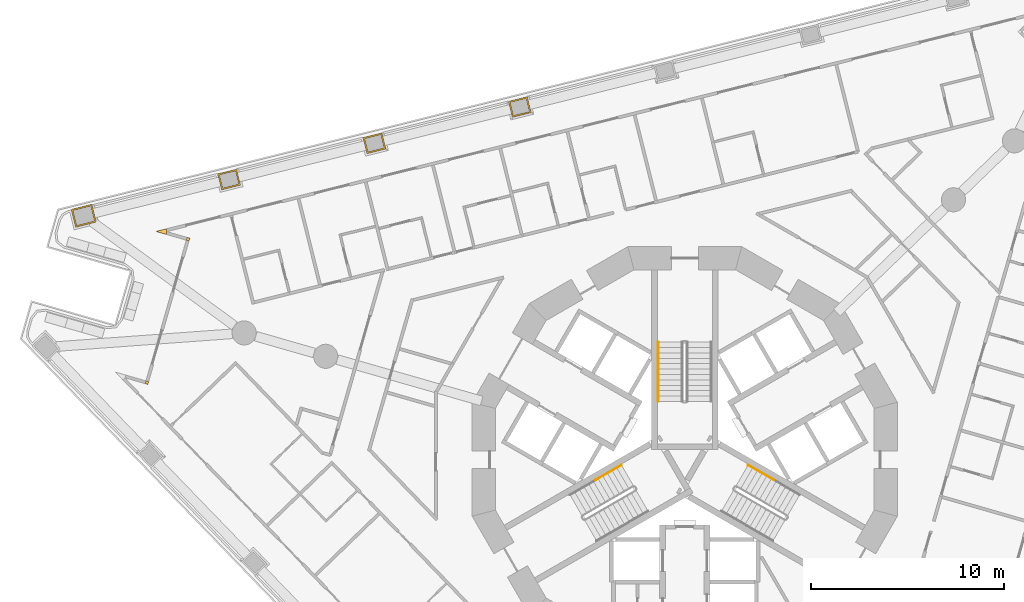
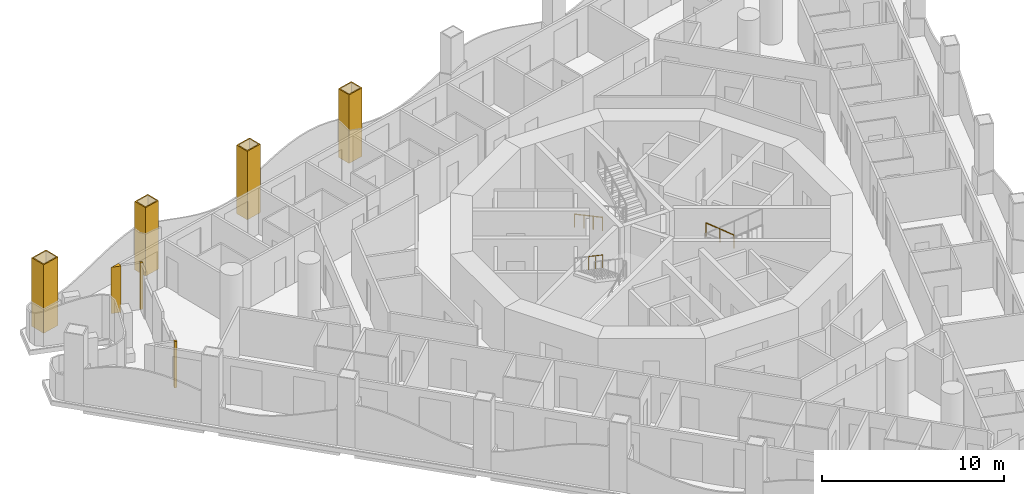
# One storey, part 17 of 20: 7 coverings, 3 railings.
"""IFC4 building model written with IfcOpenShell, lengths in metres."""

from ifc_helpers import new_model, si_unit, direction, frame, origin, origin_2d, place, context, subcontext, project, spatial, polyline, circle, outline, extrude, material, layer, layer_set, type_object, element, save


model = new_model("IFC4")

# Units and contexts
model_context = context("Model", 3, precision=1e-05, world=origin(), true_north=direction((0.0, 1.0)))
body_context = subcontext(model_context, "Body", "Model", "MODEL_VIEW")
ifc_project = project(units=[si_unit("LENGTHUNIT", "METRE"), si_unit("AREAUNIT", "SQUARE_METRE"), si_unit("VOLUMEUNIT", "CUBIC_METRE"), si_unit("PLANEANGLEUNIT", "RADIAN"), si_unit("MASSUNIT", "GRAM", prefix="KILO")], contexts=[model_context])

# Site, building, storey
site_placement = place(None, origin())
site = spatial("IfcSite", under=ifc_project, at=site_placement, CompositionType="ELEMENT")
building_placement = place(site_placement, origin())
building = spatial("IfcBuilding", under=site, at=building_placement, Name="Trine Commons Tower", CompositionType="ELEMENT")
storey_placement = place(building_placement, frame((0.0, 0.0, 116.10009765625)))
storey = spatial("IfcBuildingStorey", under=building, at=storey_placement, Name="L29", CompositionType="ELEMENT", Elevation=116.10009765625)

# Coverings
ifc_material_1 = material(Name="Aluminium-framed insulated wall panel", Category="aluminium")
ifc_layer_1 = layer(ifc_material_1, 0.14990234375)
ifc_layer_set_1 = layer_set([ifc_layer_1], Name="Aluminium-framed insulated wall panel")
covering_type_1 = type_object("IfcCoveringType", Name="Glazing corner post, aluminium", PredefinedType="CLADDING", material=ifc_layer_set_1)
covering_1_placement = place(storey_placement, origin())
element("IfcCovering", 1, at=covering_1_placement, inside=storey, type_object=covering_type_1, Name="Glazing corner post 3-02", PredefinedType="CLADDING", context=body_context, shape_type="SweptSolid", body=[
    extrude(outline(polyline([(52.048828125, 66.416015625), (52.193115234375, 66.374755859375), (52.234375, 66.518798828125), (52.090087890625, 66.560302734375), (52.048828125, 66.416015625)])), origin(), (0.0, 0.0, 1.0), 3.099853515625),
])
covering_2_placement = place(storey_placement, origin())
element("IfcCovering", 2, at=covering_2_placement, inside=storey, type_object=covering_type_1, Name="Glazing corner post 3-03", PredefinedType="CLADDING", context=body_context, shape_type="SweptSolid", body=[
    extrude(outline(polyline([(54.32373046875, 73.805419921875), (54.364990234375, 73.949462890625), (54.220703125, 73.99072265625), (54.179443359375, 73.8466796875), (54.32373046875, 73.805419921875)])), origin(), (0.0, 0.0, 1.0), 3.099853515625),
])
covering_3_placement = place(storey_placement, origin())
element("IfcCovering", 3, at=covering_3_placement, inside=storey, type_object=covering_type_1, Name="Glazing corner post 3-04", PredefinedType="CLADDING", context=body_context, shape_type="SweptSolid", body=[
    extrude(outline(polyline([(53.1357421875, 74.14599609375), (53.17724609375, 74.2900390625), (53.140869140625, 74.435546875), (52.59765625, 74.30029296875), (53.1357421875, 74.14599609375)])), origin(), (0.0, 0.0, 1.0), 3.099853515625),
])
ifc_material_2 = material(Name="Limestone, honed", Category="masonry")
ifc_layer_2 = layer(ifc_material_2, 0.074951171875)
ifc_layer_set_2 = layer_set([ifc_layer_2], Name="Limestone, honed")
covering_type_2 = type_object("IfcCoveringType", Name="Limestone column cladding 75", PredefinedType="CLADDING", material=ifc_layer_set_2)
covering_4_placement = place(storey_placement, origin())
element("IfcCovering", 4, at=covering_4_placement, inside=storey, type_object=covering_type_2, Name="Limestone pier cladding 3-09", PredefinedType="CLADDING", context=body_context, shape_type="SweptSolid", body=[
    extrude(outline(polyline([(49.520751953125, 74.785400390625), (49.291015625, 75.70703125), (48.2236328125, 75.44091796875), (48.45361328125, 74.519287109375), (49.520751953125, 74.785400390625)]), holes=[polyline([(49.429931640625, 74.83984375), (49.236328125, 75.6162109375), (48.314453125, 75.38623046875), (48.508056640625, 74.610107421875), (49.429931640625, 74.83984375)])]), origin(), (0.0, 0.0, 1.0), 4.58740234375),
])
covering_5_placement = place(storey_placement, origin())
element("IfcCovering", 5, at=covering_5_placement, inside=storey, type_object=covering_type_2, Name="Limestone pier cladding 3-10", PredefinedType="CLADDING", context=body_context, shape_type="SweptSolid", body=[
    extrude(outline(polyline([(56.9873046875, 76.698486328125), (56.78173828125, 77.523193359375), (55.811279296875, 77.28125), (56.01708984375, 76.45654296875), (56.9873046875, 76.698486328125)]), holes=[polyline([(56.896484375, 76.7529296875), (56.72705078125, 77.43212890625), (55.90234375, 77.2265625), (56.07177734375, 76.54736328125), (56.896484375, 76.7529296875)])]), origin(), (0.0, 0.0, 1.0), 4.58740234375),
])
covering_6_placement = place(storey_placement, origin())
element("IfcCovering", 6, at=covering_6_placement, inside=storey, type_object=covering_type_2, Name="Limestone pier cladding 3-11", PredefinedType="CLADDING", context=body_context, shape_type="SweptSolid", body=[
    extrude(outline(polyline([(64.5146484375, 78.5751953125), (64.308837890625, 79.39990234375), (63.338623046875, 79.157958984375), (63.544189453125, 78.333251953125), (64.5146484375, 78.5751953125)]), holes=[polyline([(64.423583984375, 78.6298828125), (64.25439453125, 79.30908203125), (63.4296875, 79.103515625), (63.598876953125, 78.42431640625), (64.423583984375, 78.6298828125)])]), origin(), (0.0, 0.0, 1.0), 4.58740234375),
])
covering_7_placement = place(storey_placement, origin())
element("IfcCovering", 7, at=covering_7_placement, inside=storey, type_object=covering_type_2, Name="Limestone pier cladding 3-12", PredefinedType="CLADDING", context=body_context, shape_type="SweptSolid", body=[
    extrude(outline(polyline([(72.0419921875, 80.451904296875), (71.836181640625, 81.276611328125), (70.865966796875, 81.03466796875), (71.071533203125, 80.2099609375), (72.0419921875, 80.451904296875)]), holes=[polyline([(71.950927734375, 80.506591796875), (71.781494140625, 81.185791015625), (70.956787109375, 80.97998046875), (71.126220703125, 80.30078125), (71.950927734375, 80.506591796875)])]), origin(), (0.0, 0.0, 1.0), 4.58740234375),
])

# Railings
ifc_material_3 = material(Name="Stainless steel handrail", Category="steel")
railing_type = type_object("IfcRailingType", Name="Stair handrail, steel 900", PredefinedType="HANDRAIL", material=ifc_material_3)
railing_1_placement = place(storey_placement, frame((78.625, 68.570556640625, 0.14990234375)))
element("IfcRailing", 8, at=railing_1_placement, inside=storey, type_object=railing_type, Name="L29 ST1A stair handrail 1", PredefinedType="HANDRAIL", context=body_context, shape_type="SweptSolid", body=[
    extrude(circle(Radius=0.02099609375, at=origin_2d()), frame((0.0, 0.0, 0.87890625), z_axis=(0.0, -0.881496589024, 0.472190389079), x_axis=(1.0, 0.0, 0.0)), (0.0, 0.0, 1.0), 3.494140625),
    extrude(circle(Radius=0.01513671875, at=origin_2d()), origin(), (0.0, 0.0, 1.0), 0.85791015625),
    extrude(circle(Radius=0.01513671875, at=origin_2d()), frame((0.0, -1.026611328125, 0.550048828125)), (0.0, 0.0, 1.0), 0.85791015625),
    extrude(circle(Radius=0.01513671875, at=origin_2d()), frame((0.0, -2.053466796875, 1.099853515625)), (0.0, 0.0, 1.0), 0.85791015625),
    extrude(circle(Radius=0.01513671875, at=origin_2d()), frame((0.0, -3.080078125, 1.64990234375)), (0.0, 0.0, 1.0), 0.85791015625),
])
railing_2_placement = place(storey_placement, frame((76.72265625, 62.195556640625, 1.949951171875)))
element("IfcRailing", 9, at=railing_2_placement, inside=storey, type_object=railing_type, Name="L29 ST2A stair handrail 3", PredefinedType="HANDRAIL", context=body_context, shape_type="SweptSolid", body=[
    extrude(circle(Radius=0.02099609375, at=origin_2d()), frame((0.0, 0.0, 0.87890625), z_axis=(-0.76340495495, -0.440743040072, 0.472184759798), x_axis=(0.499992328818, -0.866029832698, 0.0)), (0.0, 0.0, 1.0), 1.7470703125),
    extrude(circle(Radius=0.01513671875, at=origin_2d()), origin(), (0.0, 0.0, 1.0), 0.85791015625),
    extrude(circle(Radius=0.01513671875, at=origin_2d()), frame((-0.6669921875, -0.385009765625, 0.41259765625)), (0.0, 0.0, 1.0), 0.85791015625),
    extrude(circle(Radius=0.01513671875, at=origin_2d()), frame((-1.333740234375, -0.77001953125, 0.824951171875)), (0.0, 0.0, 1.0), 0.85791015625),
])
railing_3_placement = place(storey_placement, frame((84.611083984375, 61.425537109375, 0.974853515625)))
element("IfcRailing", 10, at=railing_3_placement, inside=storey, type_object=railing_type, Name="L29 ST3A stair handrail 2", PredefinedType="HANDRAIL", context=body_context, shape_type="SweptSolid", body=[
    extrude(circle(Radius=0.02099609375, at=origin_2d()), frame((0.0, 0.0, 0.87890625), z_axis=(-0.76340495495, 0.440743040072, 0.472184759798), x_axis=(-0.499992328818, -0.866029832698, 0.0)), (0.0, 0.0, 1.0), 1.7470703125),
    extrude(circle(Radius=0.01513671875, at=origin_2d()), origin(), (0.0, 0.0, 1.0), 0.85791015625),
    extrude(circle(Radius=0.01513671875, at=origin_2d()), frame((-0.6669921875, 0.385009765625, 0.41259765625)), (0.0, 0.0, 1.0), 0.85791015625),
    extrude(circle(Radius=0.01513671875, at=origin_2d()), frame((-1.333740234375, 0.77001953125, 0.824951171875)), (0.0, 0.0, 1.0), 0.85791015625),
])

save(model, "model.ifc")
